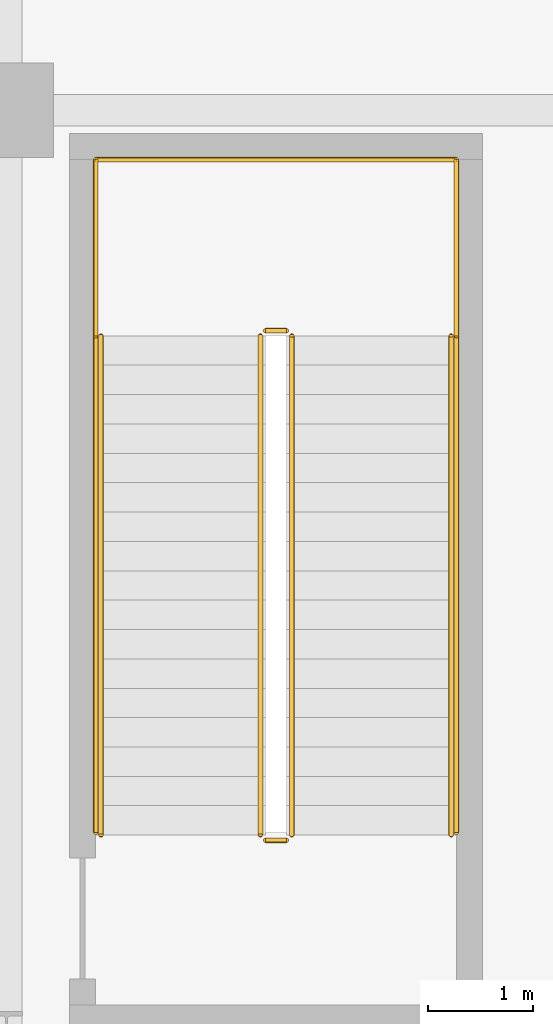
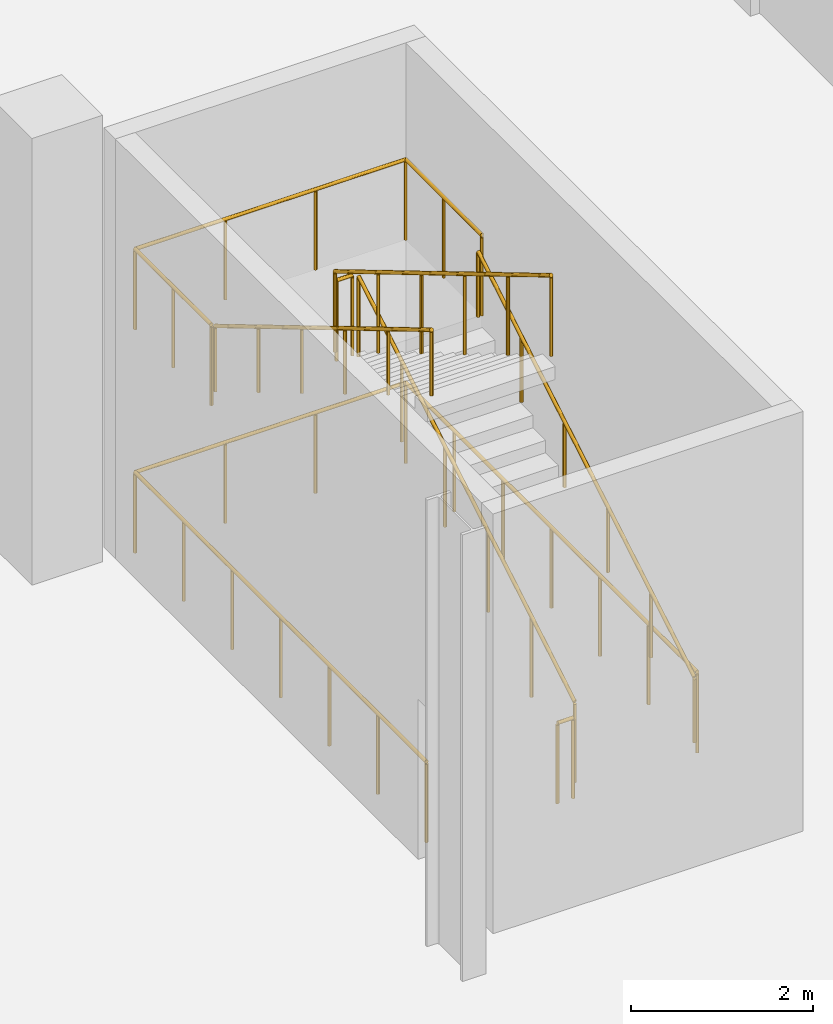
# One storey, part 48 of 58: 12 railings.
"""IFC4 building model written with IfcOpenShell, lengths in metres."""

import ifcopenshell
import ifcopenshell.guid

model = None  # the IFC model being written
_history = None  # IfcOwnerHistory: only IFC2X3 demands one
_inside = {}  # id of a spatial element -> (the spatial element, [elements in it])
_under = {}  # id of a project, library or spatial element -> (it, [spatial elements below it])
_declared = {}  # id of a project -> (the project, [libraries it declares])
_typed = {}  # id of a type object -> (the type object, [elements of that type])
_made_of = {}  # id of a material, layer set ... -> (it, [elements and type objects made of it])


def new_model(schema):
    """Start an empty IFC model of exactly this schema.

    Asked for "IFC4X3", IfcOpenShell would pick the latest addendum, in which some entities
    have other attributes; the version numbers below select the first issue.
    IFC2X3 requires an IfcOwnerHistory on every rooted entity: one is made here for all.
    """
    global model, _history
    if schema == "IFC4X3":
        model = ifcopenshell.file(schema_version=(4, 3, 0, 0))
    else:
        model = ifcopenshell.file(schema=schema)
    _inside.clear()
    _under.clear()
    _declared.clear()
    _typed.clear()
    _made_of.clear()
    _history = None
    if model.schema == "IFC2X3":
        org = make("IfcOrganization", Name="unknown")
        user = make(
            "IfcPersonAndOrganization",
            ThePerson=make("IfcPerson", FamilyName="unknown"),
            TheOrganization=org,
        )
        app = make(
            "IfcApplication",
            ApplicationDeveloper=org,
            Version="unknown",
            ApplicationFullName="unknown",
            ApplicationIdentifier="unknown",
        )
        _history = make(
            "IfcOwnerHistory",
            OwningUser=user,
            OwningApplication=app,
            ChangeAction="ADDED",
            CreationDate=0,
        )
    return model


def make(cls, **values):
    """One entity of the class cls with the attributes given. An attribute that is None is left unset."""
    return model.create_entity(
        cls, **{name: value for name, value in values.items() if value is not None}
    )


def rooted(cls, **values):
    """An entity with a GlobalId (a new one), such as an element, a storey or a relation."""
    return make(cls, GlobalId=ifcopenshell.guid.new(), OwnerHistory=_history, **values)


def si_unit(unit_type, name, prefix=None):
    """IfcSIUnit, for example si_unit("LENGTHUNIT", "METRE", prefix="MILLI")."""
    return make("IfcSIUnit", UnitType=unit_type, Prefix=prefix, Name=name)


def assignment(units):
    """IfcUnitAssignment: the units of a project."""
    return None if units is None else make("IfcUnitAssignment", Units=units)


def point(xyz):
    """IfcCartesianPoint."""
    return None if xyz is None else make("IfcCartesianPoint", Coordinates=xyz)


def direction(xyz):
    """IfcDirection."""
    return None if xyz is None else make("IfcDirection", DirectionRatios=xyz)


def frame(location, z_axis=None, x_axis=None):
    """IfcAxis2Placement3D, a coordinate frame: its origin and axes. An axis left out is left unset."""
    return make(
        "IfcAxis2Placement3D",
        Location=point(location),
        Axis=direction(z_axis),
        RefDirection=direction(x_axis),
    )


def frame_2d(location, x_axis=None):
    """IfcAxis2Placement2D, a coordinate frame in the plane: its origin and x axis."""
    return make(
        "IfcAxis2Placement2D", Location=point(location), RefDirection=direction(x_axis)
    )


def origin():
    """The frame at (0, 0, 0) with its axes left unset."""
    return frame((0.0, 0.0, 0.0))


def origin_2d():
    """The frame at (0, 0) in the plane with its x axis left unset."""
    return frame_2d((0.0, 0.0))


def place(relative_to, where):
    """IfcLocalPlacement: puts the frame where relative to a parent placement (None: the world)."""
    return make(
        "IfcLocalPlacement", PlacementRelTo=relative_to, RelativePlacement=where
    )


def context(
    kind, dimensions, precision=None, world=None, true_north=None, identifier=None
):
    """IfcGeometricRepresentationContext, for example the 3D "Model" context."""
    return make(
        "IfcGeometricRepresentationContext",
        ContextIdentifier=identifier,
        ContextType=kind,
        CoordinateSpaceDimension=dimensions,
        Precision=precision,
        WorldCoordinateSystem=world,
        TrueNorth=true_north,
    )


def subcontext(parent, identifier, kind, view, scale=None):
    """IfcGeometricRepresentationSubContext, for example "Body" below "Model"."""
    return make(
        "IfcGeometricRepresentationSubContext",
        ContextIdentifier=identifier,
        ContextType=kind,
        ParentContext=parent,
        TargetScale=scale,
        TargetView=view,
    )


def project(units=None, contexts=None):
    """IfcProject with its units and contexts."""
    return rooted(
        "IfcProject",
        Name="project",
        RepresentationContexts=contexts,
        UnitsInContext=assignment(units),
    )


def spatial(cls, under=None, at=None, **own):
    """A site, building, storey or space (cls), placed at a placement, below another one or the project."""
    s = rooted(cls, ObjectPlacement=at, **own)
    if under is not None:
        _under.setdefault(under.id(), (under, []))[1].append(s)
    return s


def profile(cls, at=None, kind="AREA", **sizes):
    """A parametric profile (cls). Its sizes go by their IFC names, for example OverallWidth=200.0."""
    return make(cls, ProfileType=kind, Position=at, **sizes)


def circle(**sizes):
    """IfcCircleProfileDef."""
    return profile("IfcCircleProfileDef", **sizes)


def extrude(swept, where, along, depth):
    """IfcExtrudedAreaSolid: the profile swept, set in the frame where, extruded along a direction by depth."""
    return make(
        "IfcExtrudedAreaSolid",
        SweptArea=swept,
        Position=where,
        ExtrudedDirection=direction(along),
        Depth=depth,
    )


def shape(context_of_items, identifier, shape_type, items):
    """IfcShapeRepresentation: the items that make up one representation, for example the "Body"."""
    return make(
        "IfcShapeRepresentation",
        ContextOfItems=context_of_items,
        RepresentationIdentifier=identifier,
        RepresentationType=shape_type,
        Items=items,
    )


def material(Name=None, Category=None):
    """IfcMaterial."""
    return make("IfcMaterial", Name=Name, Category=Category)


def made_of(thing, what):
    """Note that an element or type object is made of a material, layer set ...; save() writes the relation."""
    if what is not None:
        _made_of.setdefault(what.id(), (what, []))[1].append(thing)
    return thing


def type_object(cls, material=None, **own):
    """A type object (cls), such as IfcWallType, which elements share."""
    return made_of(rooted(cls, **own), material)


def element(
    cls,
    number,
    at=None,
    inside=None,
    cuts=None,
    type_object=None,
    material=None,
    context=None,
    identifier="Body",
    shape_type=None,
    held_by="IfcProductDefinitionShape",
    body=None,
    shapes=None,
    **own,
):
    """One element of the class cls, such as IfcWall. Its Tag is "e" and its number.

    at: its placement. inside: the storey or other place that contains it. cuts: it is an
    opening in that element (IfcRelVoidsElement). A single representation is given by context,
    identifier, shape_type and body (its items); several are given by shapes. held_by: the class
    of the entity that holds the representations. save() writes the other relations.
    """
    e = rooted(cls, Tag="e%d" % number, ObjectPlacement=at, **own)
    if body is not None:
        shapes = [shape(context, identifier, shape_type, body)]
    if shapes is not None:
        e.Representation = make(held_by, Representations=shapes)
    if inside is not None:
        _inside.setdefault(inside.id(), (inside, []))[1].append(e)
    if cuts is not None:
        rooted(
            "IfcRelVoidsElement", RelatingBuildingElement=cuts, RelatedOpeningElement=e
        )
    if type_object is not None:
        _typed.setdefault(type_object.id(), (type_object, []))[1].append(e)
    return made_of(e, material)


def aggregate(whole, parts):
    """IfcRelAggregates: a whole, such as a stair, and the parts it consists of."""
    return rooted("IfcRelAggregates", RelatingObject=whole, RelatedObjects=parts)


def save(model, path):
    """Write the relations noted so far, then the file.

    IfcRelAggregates (storeys below a building ...), IfcRelContainedInSpatialStructure (elements
    in a storey), IfcRelDefinesByType, IfcRelAssociatesMaterial and IfcRelDeclares: one each for
    every whole, place, type object, material and project.
    """
    for whole, parts in _under.values():
        aggregate(whole, parts)
    for where, things in _inside.values():
        rooted(
            "IfcRelContainedInSpatialStructure",
            RelatedElements=things,
            RelatingStructure=where,
        )
    for kind, things in _typed.values():
        rooted("IfcRelDefinesByType", RelatedObjects=things, RelatingType=kind)
    for what, things in _made_of.values():
        rooted("IfcRelAssociatesMaterial", RelatedObjects=things, RelatingMaterial=what)
    for by, libraries in _declared.values():
        rooted("IfcRelDeclares", RelatingContext=by, RelatedDefinitions=libraries)
    model.write(path)


model = new_model("IFC4")

# Units and contexts
model_context = context("Model", 3, precision=1e-05, world=origin(), true_north=direction((0.0, 1.0)))
body_context = subcontext(model_context, "Body", "Model", "MODEL_VIEW")
ifc_project = project(units=[si_unit("LENGTHUNIT", "METRE"), si_unit("AREAUNIT", "SQUARE_METRE"), si_unit("VOLUMEUNIT", "CUBIC_METRE"), si_unit("PLANEANGLEUNIT", "RADIAN"), si_unit("MASSUNIT", "GRAM", prefix="KILO")], contexts=[model_context])

# Site, building, storey
site_placement = place(None, origin())
site = spatial("IfcSite", under=ifc_project, at=site_placement, CompositionType="ELEMENT")
building_placement = place(site_placement, origin())
building = spatial("IfcBuilding", under=site, at=building_placement, Name="Barlavento Convention Centre", CompositionType="ELEMENT")
storey_placement = place(building_placement, origin())
storey = spatial("IfcBuildingStorey", under=building, at=storey_placement, Name="L00", CompositionType="ELEMENT", Elevation=0.0)

# Railings
ifc_material_1 = material(Name="Stainless steel and laminated glass balustrade", Category="steel")
railing_type_1 = type_object("IfcRailingType", Name="ARC-RAL-BAL-1100", PredefinedType="BALUSTRADE", material=ifc_material_1)
railing_1_placement = place(storey_placement, frame((182.719970703125, 11.090087890625, 0.166748046875)))
element("IfcRailing", 1, at=railing_1_placement, inside=storey, type_object=railing_type_1, Name="L00 ST14 stair guard 1", PredefinedType="BALUSTRADE", context=body_context, shape_type="SweptSolid", body=[
    extrude(circle(Radius=0.02392578125, at=origin_2d()), frame((0.0, 0.0, 1.076171875), z_axis=(0.0, 0.859299802514, 0.511472237174), x_axis=(-1.0, 0.0, 0.0)), (0.0, 0.0, 1.0), 5.539306640625),
    extrude(circle(Radius=0.02099609375, at=origin_2d()), origin(), (0.0, 0.0, 1.0), 1.052001953125),
    extrude(circle(Radius=0.02099609375, at=origin_2d()), frame((0.0, 0.951904296875, 0.566650390625)), (0.0, 0.0, 1.0), 1.052001953125),
    extrude(circle(Radius=0.02099609375, at=origin_2d()), frame((0.0, 1.904052734375, 1.13330078125)), (0.0, 0.0, 1.0), 1.052001953125),
    extrude(circle(Radius=0.02099609375, at=origin_2d()), frame((0.0, 2.85595703125, 1.699951171875)), (0.0, 0.0, 1.0), 1.052001953125),
    extrude(circle(Radius=0.02099609375, at=origin_2d()), frame((0.0, 3.80810546875, 2.2666015625)), (0.0, 0.0, 1.0), 1.052001953125),
    extrude(circle(Radius=0.02099609375, at=origin_2d()), frame((0.0, 4.760009765625, 2.833251953125)), (0.0, 0.0, 1.0), 1.052001953125),
])
railing_2_placement = place(storey_placement, frame((182.669921875, 15.89990234375, 3.0)))
element("IfcRailing", 2, at=railing_2_placement, inside=storey, type_object=railing_type_1, Name="L00 ST14 stair guard 2", PredefinedType="BALUSTRADE", context=body_context, shape_type="SweptSolid", body=[
    extrude(circle(Radius=0.02392578125, at=origin_2d()), frame((0.0, 0.0, 1.076171875), z_axis=(-1.0, 0.0, 0.0), x_axis=(0.0, -1.0, 0.0)), (0.0, 0.0, 1.0), 0.199951171875),
    extrude(circle(Radius=0.02099609375, at=origin_2d()), origin(), (0.0, 0.0, 1.0), 1.052001953125),
    extrude(circle(Radius=0.02099609375, at=origin_2d()), frame((-0.199951171875, 0.0, 0.0)), (0.0, 0.0, 1.0), 1.052001953125),
])
railing_3_placement = place(storey_placement, frame((182.419921875, 15.85009765625, 3.166748046875)))
element("IfcRailing", 3, at=railing_3_placement, inside=storey, type_object=railing_type_1, Name="L00 ST14 stair guard 3", PredefinedType="BALUSTRADE", context=body_context, shape_type="SweptSolid", body=[
    extrude(circle(Radius=0.02392578125, at=origin_2d()), frame((0.0, 0.0, 1.076171875), z_axis=(0.0, -0.859299802514, 0.511472237174), x_axis=(1.0, 0.0, 0.0)), (0.0, 0.0, 1.0), 5.539306640625),
    extrude(circle(Radius=0.02099609375, at=origin_2d()), origin(), (0.0, 0.0, 1.0), 1.052001953125),
    extrude(circle(Radius=0.02099609375, at=origin_2d()), frame((0.0, -0.951904296875, 0.566650390625)), (0.0, 0.0, 1.0), 1.052001953125),
    extrude(circle(Radius=0.02099609375, at=origin_2d()), frame((0.0, -1.904052734375, 1.13330078125)), (0.0, 0.0, 1.0), 1.052001953125),
    extrude(circle(Radius=0.02099609375, at=origin_2d()), frame((0.0, -2.85595703125, 1.699951171875)), (0.0, 0.0, 1.0), 1.052001953125),
    extrude(circle(Radius=0.02099609375, at=origin_2d()), frame((0.0, -3.80810546875, 2.2666015625)), (0.0, 0.0, 1.0), 1.052001953125),
    extrude(circle(Radius=0.02099609375, at=origin_2d()), frame((0.0, -4.760009765625, 2.833251953125)), (0.0, 0.0, 1.0), 1.052001953125),
])
railing_4_placement = place(storey_placement, frame((182.669921875, 11.0400390625, 0.0)))
element("IfcRailing", 4, at=railing_4_placement, inside=storey, type_object=railing_type_1, Name="L00 ST14 stair guard 4", PredefinedType="BALUSTRADE", context=body_context, shape_type="SweptSolid", body=[
    extrude(circle(Radius=0.02392578125, at=origin_2d()), frame((0.0, 0.0, 1.076171875), z_axis=(-1.0, 0.0, 0.0), x_axis=(0.0, -1.0, 0.0)), (0.0, 0.0, 1.0), 0.199951171875),
    extrude(circle(Radius=0.02099609375, at=origin_2d()), origin(), (0.0, 0.0, 1.0), 1.052001953125),
    extrude(circle(Radius=0.02099609375, at=origin_2d()), frame((-0.199951171875, 0.0, 0.0)), (0.0, 0.0, 1.0), 1.052001953125),
])
for number, where, name in (
    (5, (184.2900390625, 15.85009765625, 3.0), "L00 landing guard GR01"),
    (6, (180.85009765625, 15.85009765625, 3.0), "L00 landing guard GR01"),
):
    element("IfcRailing", number, at=place(storey_placement, frame(where)), inside=storey, type_object=railing_type_1, Name=name, PredefinedType="BALUSTRADE", context=body_context, shape_type="SweptSolid", body=[
        extrude(circle(Radius=0.02392578125, at=origin_2d()), frame((0.0, 0.0, 1.076171875), z_axis=(0.0, 1.0, 0.0), x_axis=(-1.0, 0.0, 0.0)), (0.0, 0.0, 1.0), 1.679931640625),
        extrude(circle(Radius=0.02099609375, at=origin_2d()), origin(), (0.0, 0.0, 1.0), 1.052001953125),
        extrude(circle(Radius=0.02099609375, at=origin_2d()), frame((0.0, 0.83984375, 0.0)), (0.0, 0.0, 1.0), 1.052001953125),
        extrude(circle(Radius=0.02099609375, at=origin_2d()), frame((0.0, 1.679931640625, 0.0)), (0.0, 0.0, 1.0), 1.052001953125),
    ])
railing_5_placement = place(storey_placement, frame((184.2900390625, 17.530029296875, 3.0)))
element("IfcRailing", 7, at=railing_5_placement, inside=storey, type_object=railing_type_1, Name="L00 landing guard GR01", PredefinedType="BALUSTRADE", context=body_context, shape_type="SweptSolid", body=[
    extrude(circle(Radius=0.02392578125, at=origin_2d()), frame((0.0, 0.0, 1.076171875), z_axis=(-1.0, 0.0, 0.0), x_axis=(0.0, -1.0, 0.0)), (0.0, 0.0, 1.0), 3.43994140625),
    extrude(circle(Radius=0.02099609375, at=origin_2d()), origin(), (0.0, 0.0, 1.0), 1.052001953125),
    extrude(circle(Radius=0.02099609375, at=origin_2d()), frame((-1.146728515625, 0.0, 0.0)), (0.0, 0.0, 1.0), 1.052001953125),
    extrude(circle(Radius=0.02099609375, at=origin_2d()), frame((-2.293212890625, 0.0, 0.0)), (0.0, 0.0, 1.0), 1.052001953125),
    extrude(circle(Radius=0.02099609375, at=origin_2d()), frame((-3.43994140625, 0.0, 0.0)), (0.0, 0.0, 1.0), 1.052001953125),
])
railing_6_placement = place(storey_placement, frame((184.2900390625, 11.114990234375, 0.0)))
element("IfcRailing", 8, at=railing_6_placement, inside=storey, type_object=railing_type_1, Name="L00 stairwell perimeter guard GR01", PredefinedType="BALUSTRADE", context=body_context, shape_type="SweptSolid", body=[
    extrude(circle(Radius=0.02392578125, at=origin_2d()), frame((0.0, 0.0, 1.076171875), z_axis=(0.0, 1.0, 0.0), x_axis=(-1.0, 0.0, 0.0)), (0.0, 0.0, 1.0), 6.4150390625),
    extrude(circle(Radius=0.02099609375, at=origin_2d()), origin(), (0.0, 0.0, 1.0), 1.052001953125),
    extrude(circle(Radius=0.02099609375, at=origin_2d()), frame((0.0, 1.069091796875, 0.0)), (0.0, 0.0, 1.0), 1.052001953125),
    extrude(circle(Radius=0.02099609375, at=origin_2d()), frame((0.0, 2.138427734375, 0.0)), (0.0, 0.0, 1.0), 1.052001953125),
    extrude(circle(Radius=0.02099609375, at=origin_2d()), frame((0.0, 3.20751953125, 0.0)), (0.0, 0.0, 1.0), 1.052001953125),
    extrude(circle(Radius=0.02099609375, at=origin_2d()), frame((0.0, 4.276611328125, 0.0)), (0.0, 0.0, 1.0), 1.052001953125),
    extrude(circle(Radius=0.02099609375, at=origin_2d()), frame((0.0, 5.345947265625, 0.0)), (0.0, 0.0, 1.0), 1.052001953125),
    extrude(circle(Radius=0.02099609375, at=origin_2d()), frame((0.0, 6.4150390625, 0.0)), (0.0, 0.0, 1.0), 1.052001953125),
])
railing_7_placement = place(storey_placement, frame((184.2900390625, 17.530029296875, 0.0)))
element("IfcRailing", 9, at=railing_7_placement, inside=storey, type_object=railing_type_1, Name="L00 stairwell perimeter guard GR01", PredefinedType="BALUSTRADE", context=body_context, shape_type="SweptSolid", body=[
    extrude(circle(Radius=0.02392578125, at=origin_2d()), frame((0.0, 0.0, 1.076171875), z_axis=(-1.0, 0.0, 0.0), x_axis=(0.0, -1.0, 0.0)), (0.0, 0.0, 1.0), 3.43994140625),
    extrude(circle(Radius=0.02099609375, at=origin_2d()), origin(), (0.0, 0.0, 1.0), 1.052001953125),
    extrude(circle(Radius=0.02099609375, at=origin_2d()), frame((-1.146728515625, 0.0, 0.0)), (0.0, 0.0, 1.0), 1.052001953125),
    extrude(circle(Radius=0.02099609375, at=origin_2d()), frame((-2.293212890625, 0.0, 0.0)), (0.0, 0.0, 1.0), 1.052001953125),
    extrude(circle(Radius=0.02099609375, at=origin_2d()), frame((-3.43994140625, 0.0, 0.0)), (0.0, 0.0, 1.0), 1.052001953125),
])
railing_8_placement = place(storey_placement, frame((180.85009765625, 17.530029296875, 0.0)))
element("IfcRailing", 10, at=railing_8_placement, inside=storey, type_object=railing_type_1, Name="L00 stairwell perimeter guard GR01", PredefinedType="BALUSTRADE", context=body_context, shape_type="SweptSolid", body=[
    extrude(circle(Radius=0.02392578125, at=origin_2d()), frame((0.0, 0.0, 1.076171875), z_axis=(0.0, -1.0, 0.0), x_axis=(1.0, 0.0, 0.0)), (0.0, 0.0, 1.0), 6.4150390625),
    extrude(circle(Radius=0.02099609375, at=origin_2d()), origin(), (0.0, 0.0, 1.0), 1.052001953125),
    extrude(circle(Radius=0.02099609375, at=origin_2d()), frame((0.0, -1.069091796875, 0.0)), (0.0, 0.0, 1.0), 1.052001953125),
    extrude(circle(Radius=0.02099609375, at=origin_2d()), frame((0.0, -2.138427734375, 0.0)), (0.0, 0.0, 1.0), 1.052001953125),
    extrude(circle(Radius=0.02099609375, at=origin_2d()), frame((0.0, -3.20751953125, 0.0)), (0.0, 0.0, 1.0), 1.052001953125),
    extrude(circle(Radius=0.02099609375, at=origin_2d()), frame((0.0, -4.276611328125, 0.0)), (0.0, 0.0, 1.0), 1.052001953125),
    extrude(circle(Radius=0.02099609375, at=origin_2d()), frame((0.0, -5.345947265625, 0.0)), (0.0, 0.0, 1.0), 1.052001953125),
    extrude(circle(Radius=0.02099609375, at=origin_2d()), frame((0.0, -6.4150390625, 0.0)), (0.0, 0.0, 1.0), 1.052001953125),
])
ifc_material_2 = material(Name="Brushed stainless steel tubular handrail", Category="steel")
railing_type_2 = type_object("IfcRailingType", Name="ARC-RAL-HR-900", PredefinedType="HANDRAIL", material=ifc_material_2)
railing_9_placement = place(storey_placement, frame((184.239990234375, 11.090087890625, 0.166748046875)))
element("IfcRailing", 11, at=railing_9_placement, inside=storey, type_object=railing_type_2, Name="L00 ST14 stair handrail 1", PredefinedType="HANDRAIL", context=body_context, shape_type="SweptSolid", body=[
    extrude(circle(Radius=0.02392578125, at=origin_2d()), frame((0.0, 0.0, 0.8759765625), z_axis=(0.0, 0.859299802514, 0.511472237174), x_axis=(-1.0, 0.0, 0.0)), (0.0, 0.0, 1.0), 5.539306640625),
    extrude(circle(Radius=0.02099609375, at=origin_2d()), origin(), (0.0, 0.0, 1.0), 0.851806640625),
    extrude(circle(Radius=0.02099609375, at=origin_2d()), frame((0.0, 0.951904296875, 0.566650390625)), (0.0, 0.0, 1.0), 0.851806640625),
    extrude(circle(Radius=0.02099609375, at=origin_2d()), frame((0.0, 1.904052734375, 1.13330078125)), (0.0, 0.0, 1.0), 0.851806640625),
    extrude(circle(Radius=0.02099609375, at=origin_2d()), frame((0.0, 2.85595703125, 1.699951171875)), (0.0, 0.0, 1.0), 0.851806640625),
    extrude(circle(Radius=0.02099609375, at=origin_2d()), frame((0.0, 3.80810546875, 2.2666015625)), (0.0, 0.0, 1.0), 0.851806640625),
    extrude(circle(Radius=0.02099609375, at=origin_2d()), frame((0.0, 4.760009765625, 2.833251953125)), (0.0, 0.0, 1.0), 0.851806640625),
])
railing_10_placement = place(storey_placement, frame((180.89990234375, 15.85009765625, 3.166748046875)))
element("IfcRailing", 12, at=railing_10_placement, inside=storey, type_object=railing_type_2, Name="L00 ST14 stair handrail 2", PredefinedType="HANDRAIL", context=body_context, shape_type="SweptSolid", body=[
    extrude(circle(Radius=0.02392578125, at=origin_2d()), frame((0.0, 0.0, 0.8759765625), z_axis=(0.0, -0.859299802514, 0.511472237174), x_axis=(1.0, 0.0, 0.0)), (0.0, 0.0, 1.0), 5.539306640625),
    extrude(circle(Radius=0.02099609375, at=origin_2d()), origin(), (0.0, 0.0, 1.0), 0.851806640625),
    extrude(circle(Radius=0.02099609375, at=origin_2d()), frame((0.0, -0.951904296875, 0.566650390625)), (0.0, 0.0, 1.0), 0.851806640625),
    extrude(circle(Radius=0.02099609375, at=origin_2d()), frame((0.0, -1.904052734375, 1.13330078125)), (0.0, 0.0, 1.0), 0.851806640625),
    extrude(circle(Radius=0.02099609375, at=origin_2d()), frame((0.0, -2.85595703125, 1.699951171875)), (0.0, 0.0, 1.0), 0.851806640625),
    extrude(circle(Radius=0.02099609375, at=origin_2d()), frame((0.0, -3.80810546875, 2.2666015625)), (0.0, 0.0, 1.0), 0.851806640625),
    extrude(circle(Radius=0.02099609375, at=origin_2d()), frame((0.0, -4.760009765625, 2.833251953125)), (0.0, 0.0, 1.0), 0.851806640625),
])

save(model, "model.ifc")
